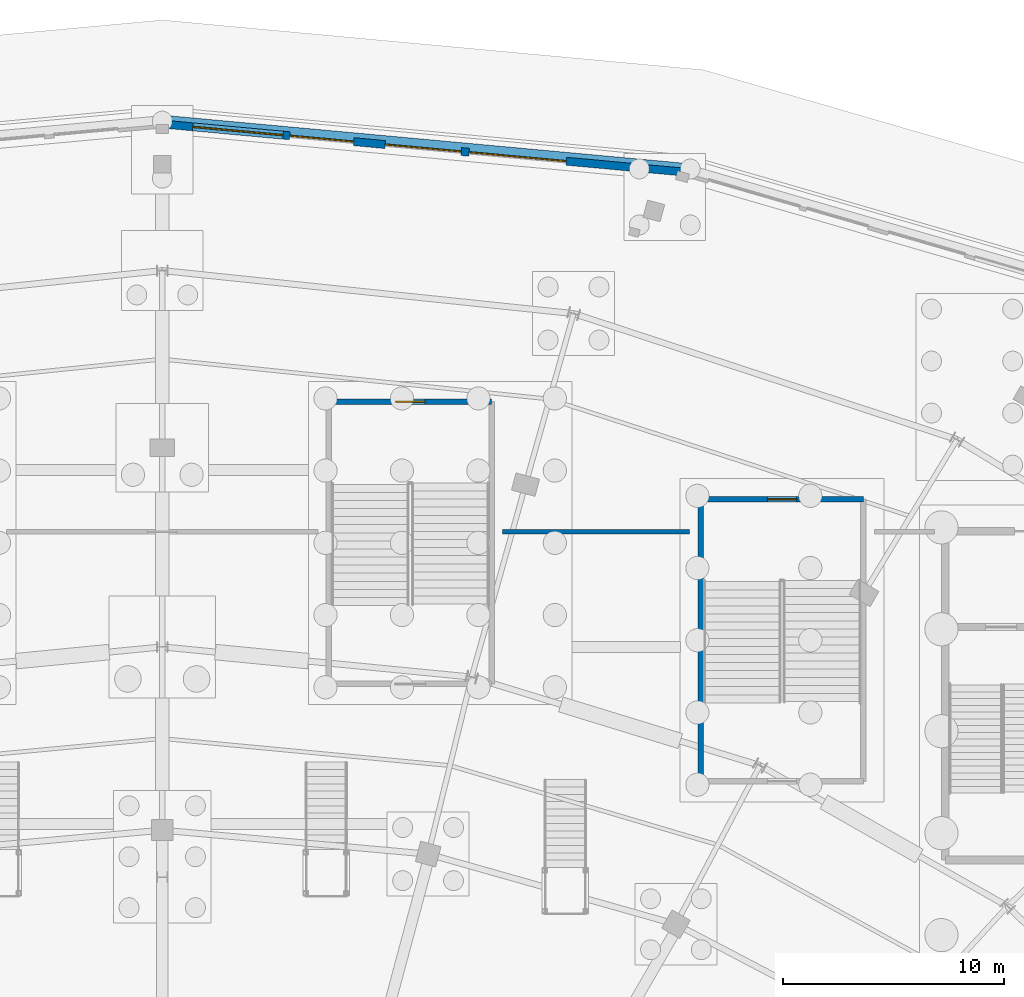
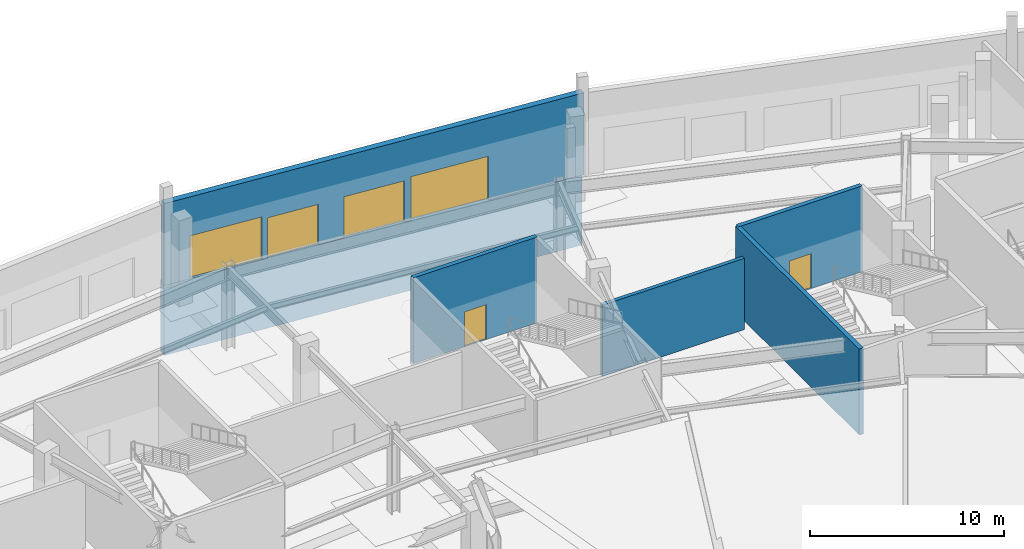
# One storey, part 59 of 93: 6 doors, 6 walls, 6 openings.
"""IFC4 building model written with IfcOpenShell, lengths in metres."""

from ifc_helpers import new_model, si_unit, direction, frame, frame_2d, origin, place, context, subcontext, project, spatial, rectangle, extrude, material, layer, layer_set, type_object, element, fill, save


model = new_model("IFC4")

# Units and contexts
model_context = context("Model", 3, precision=1e-05, world=origin(), true_north=direction((0.0, 1.0)))
body_context = subcontext(model_context, "Body", "Model", "MODEL_VIEW")
ifc_project = project(units=[si_unit("LENGTHUNIT", "METRE"), si_unit("AREAUNIT", "SQUARE_METRE"), si_unit("VOLUMEUNIT", "CUBIC_METRE"), si_unit("PLANEANGLEUNIT", "RADIAN"), si_unit("MASSUNIT", "GRAM", prefix="KILO")], contexts=[model_context])

# Site, building, storey
site_placement = place(None, origin())
site = spatial("IfcSite", under=ifc_project, at=site_placement, CompositionType="ELEMENT")
building_placement = place(site_placement, origin())
building = spatial("IfcBuilding", under=site, at=building_placement, Name="Kalgoora Escarpment Arena", CompositionType="ELEMENT")
storey_placement = place(building_placement, origin())
storey = spatial("IfcBuildingStorey", under=building, at=storey_placement, Name="L00", CompositionType="ELEMENT", Elevation=0.0)

# Wall, openings, doors
ifc_material_1 = material(Name="Cream limestone-faced precast concrete 40 MPa", Category="masonry")
ifc_layer_1 = layer(ifc_material_1, 0.360107421875)
ifc_layer_set_1 = layer_set([ifc_layer_1], Name="WAL-EXT-360")
wall_type_1 = type_object("IfcWallType", Name="WAL-EXT-360", PredefinedType="SOLIDWALL", material=ifc_layer_set_1)
wall_1_placement = place(storey_placement, frame((92.340576171875, 127.624755859375, 0.0), z_axis=(0.0, 0.0, 1.0), x_axis=(0.995785515714, -0.09171263105, 0.0)))
wall_1 = element("IfcWall", 1, at=wall_1_placement, inside=storey, type_object=wall_type_1, Name="L00 limestone-faced external wall 017", PredefinedType="SOLIDWALL", context=body_context, shape_type="SweptSolid", body=[
    extrude(rectangle(XDim=23.79052734375, YDim=0.360107421875, at=frame_2d((11.895263671875, 0.0))), origin(), (0.0, 0.0, 1.0), 5.14990234375),
])
opening_1_placement = place(wall_1_placement, frame((10.169921875, 0.0, 0.0)))
opening_1 = element("IfcOpeningElement", 2, at=opening_1_placement, cuts=wall_1, Name="Opening E4", PredefinedType="OPENING", context=body_context, shape_type="SweptSolid", body=[
    extrude(rectangle(XDim=3.449951171875, YDim=2.60009765625, at=frame_2d((1.72509765625, 1.300048828125))), frame((0.0, 0.18994140625, 0.0), z_axis=(0.0, -1.0, 0.0), x_axis=(1.0, 0.0, 0.0)), (0.0, 0.0, 1.0), 0.380126953125),
])
opening_2_placement = place(wall_1_placement, frame((1.43994140625, 0.0, 0.0)))
opening_2 = element("IfcOpeningElement", 3, at=opening_2_placement, cuts=wall_1, Name="Opening G20", PredefinedType="OPENING", context=body_context, shape_type="SweptSolid", body=[
    extrude(rectangle(XDim=4.10009765625, YDim=2.699951171875, at=frame_2d((2.050048828125, 1.35009765625))), frame((0.0, 0.18994140625, 0.0), z_axis=(0.0, -1.0, 0.0), x_axis=(1.0, 0.0, 0.0)), (0.0, 0.0, 1.0), 0.380126953125),
])
opening_3_placement = place(wall_1_placement, frame((13.97998046875, 0.0, 0.0)))
opening_3 = element("IfcOpeningElement", 4, at=opening_3_placement, cuts=wall_1, Name="Opening G21", PredefinedType="OPENING", context=body_context, shape_type="SweptSolid", body=[
    extrude(rectangle(XDim=4.39990234375, YDim=2.75, at=frame_2d((2.199951171875, 1.375))), frame((0.0, 0.18994140625, 0.0), z_axis=(0.0, -1.0, 0.0), x_axis=(1.0, 0.0, 0.0)), (0.0, 0.0, 1.0), 0.380126953125),
])
opening_4_placement = place(wall_1_placement, frame((5.840087890625, 0.0, 0.0)))
opening_4 = element("IfcOpeningElement", 5, at=opening_4_placement, cuts=wall_1, Name="Opening G50", PredefinedType="OPENING", context=body_context, shape_type="SweptSolid", body=[
    extrude(rectangle(XDim=2.89990234375, YDim=2.550048828125, at=frame_2d((1.449951171875, 1.27490234375))), frame((0.0, 0.18994140625, 0.0), z_axis=(0.0, -1.0, 0.0), x_axis=(1.0, 0.0, 0.0)), (0.0, 0.0, 1.0), 0.380126953125),
])
ifc_material_2 = material(Name="Champagne anodised aluminium acoustic egress leaf", Category="aluminium")
door_type_1 = type_object("IfcDoorType", Name="DR-EGEXIT-2700", OperationType="NOTDEFINED", PredefinedType="DOOR", material=ifc_material_2)
door_1_placement = place(opening_2_placement, origin())
door_1 = element("IfcDoor", 6, at=door_1_placement, inside=storey, type_object=door_type_1, Name="Final pedestrian exit door G20", OperationType="DOUBLE_DOOR_SINGLE_SWING", OverallHeight=2.699951171875, OverallWidth=4.10009765625, PredefinedType="DOOR", context=body_context, shape_type="SweptSolid", body=[
    extrude(rectangle(XDim=4.10009765625, YDim=2.699951171875, at=frame_2d((2.050048828125, 1.35009765625))), frame((0.0, 0.02490234375, 0.0), z_axis=(0.0, -1.0, 0.0), x_axis=(1.0, 0.0, 0.0)), (0.0, 0.0, 1.0), 0.050048828125),
])
fill(opening_2, door_1)
ifc_material_3 = material(Name="Champagne anodised aluminium acoustic egress leaf", Category="aluminium")
door_type_2 = type_object("IfcDoorType", Name="DR-EGEXIT-2850", OperationType="NOTDEFINED", PredefinedType="DOOR", material=ifc_material_3)
door_2_placement = place(opening_3_placement, origin())
door_2 = element("IfcDoor", 7, at=door_2_placement, inside=storey, type_object=door_type_2, Name="Final pedestrian exit door G21", OperationType="DOUBLE_DOOR_SINGLE_SWING", OverallHeight=2.75, OverallWidth=4.39990234375, PredefinedType="DOOR", context=body_context, shape_type="SweptSolid", body=[
    extrude(rectangle(XDim=4.39990234375, YDim=2.75, at=frame_2d((2.199951171875, 1.375))), frame((0.0, 0.02490234375, 0.0), z_axis=(0.0, -1.0, 0.0), x_axis=(1.0, 0.0, 0.0)), (0.0, 0.0, 1.0), 0.050048828125),
])
fill(opening_3, door_2)
ifc_material_4 = material(Name="Champagne anodised aluminium & toughened glass", Category="aluminium")
door_type_3 = type_object("IfcDoorType", Name="DR-MAIN-3450", OperationType="NOTDEFINED", PredefinedType="DOOR", material=ifc_material_4)
door_3_placement = place(opening_1_placement, origin())
door_3 = element("IfcDoor", 8, at=door_3_placement, inside=storey, type_object=door_type_3, Name="Main entrance E4", OperationType="DOUBLE_DOOR_SINGLE_SWING", OverallHeight=2.60009765625, OverallWidth=3.449951171875, PredefinedType="DOOR", context=body_context, shape_type="SweptSolid", body=[
    extrude(rectangle(XDim=3.449951171875, YDim=2.60009765625, at=frame_2d((1.72509765625, 1.300048828125))), frame((0.0, 0.02490234375, 0.0), z_axis=(0.0, -1.0, 0.0), x_axis=(1.0, 0.0, 0.0)), (0.0, 0.0, 1.0), 0.050048828125),
])
fill(opening_1, door_3)
ifc_material_5 = material(Name="Champagne anodised aluminium pedestrian egress gate leaf", Category="aluminium")
door_type_4 = type_object("IfcDoorType", Name="DR-PEDGATE-2900", OperationType="NOTDEFINED", PredefinedType="DOOR", material=ifc_material_5)
door_4_placement = place(opening_4_placement, origin())
door_4 = element("IfcDoor", 9, at=door_4_placement, inside=storey, type_object=door_type_4, Name="Final pedestrian exit door G50", OperationType="DOUBLE_DOOR_SINGLE_SWING", OverallHeight=2.550048828125, OverallWidth=2.89990234375, PredefinedType="DOOR", context=body_context, shape_type="SweptSolid", body=[
    extrude(rectangle(XDim=2.89990234375, YDim=2.550048828125, at=frame_2d((1.449951171875, 1.27490234375))), frame((0.0, 0.02490234375, 0.0), z_axis=(0.0, -1.0, 0.0), x_axis=(1.0, 0.0, 0.0)), (0.0, 0.0, 1.0), 0.050048828125),
])
fill(opening_4, door_4)

# Walls
ifc_material_6 = material(Name="Autoclaved aerated blockwork Concrete N40 (fc' 40 MPa)", Category="masonry")
ifc_layer_2 = layer(ifc_material_6, 0.219970703125)
ifc_layer_set_2 = layer_set([ifc_layer_2], Name="WAL-FIRE-220")
wall_type_2 = type_object("IfcWallType", Name="WAL-FIRE-220", PredefinedType="SOLIDWALL", material=ifc_layer_set_2)
wall_2_placement = place(storey_placement, frame((116.22509765625, 109.199951171875, 0.0), z_axis=(0.0, 0.0, 1.0), x_axis=(-1.0, 0.0, 0.0)))
element("IfcWall", 10, at=wall_2_placement, inside=storey, type_object=wall_type_2, Name="L00 North Protected Exit Passageway partition wall", PredefinedType="SOLIDWALL", context=body_context, shape_type="SweptSolid", body=[
    extrude(rectangle(XDim=8.4501953125, YDim=0.219970703125, at=frame_2d((4.22509765625, 0.0))), origin(), (0.0, 0.0, 1.0), 4.48291015625),
])
ifc_material_7 = material(Name="Concrete N40 (fc' 40 MPa)", Category="concrete")
ifc_layer_3 = layer(ifc_material_7, 0.43994140625)
ifc_layer_set_3 = layer_set([ifc_layer_3], Name="WAL-RET-440")
wall_type_3 = type_object("IfcWallType", Name="WAL-RET-440", PredefinedType="USERDEFINED", material=ifc_layer_set_3)
wall_3_placement = place(storey_placement, frame((92.39990234375, 127.800048828125, -4.5), z_axis=(0.0, 0.0, 1.0), x_axis=(0.995786148362, -0.091705761708, 0.0)))
element("IfcWall", 11, at=wall_3_placement, inside=storey, type_object=wall_type_3, Name="Escarpment stepped limestone plinth retaining wall 15", ObjectType="RETAININGWALL", PredefinedType="USERDEFINED", context=body_context, shape_type="SweptSolid", body=[
    extrude(rectangle(XDim=23.704345703125, YDim=0.43994140625, at=frame_2d((11.85205078125, 0.0))), origin(), (0.0, 0.0, 1.0), 4.5),
])

# Wall, opening, door
ifc_material_8 = material(Name="Concrete N50 (fc' 50 MPa)", Category="concrete")
ifc_layer_4 = layer(ifc_material_8, 0.25)
ifc_layer_set_4 = layer_set([ifc_layer_4], Name="WAL-STAIR-250")
wall_type_4 = type_object("IfcWallType", Name="WAL-STAIR-250", PredefinedType="SHEAR", material=ifc_layer_set_4)
wall_4_placement = place(storey_placement, frame((99.925048828125, 115.074951171875, 0.0), z_axis=(0.0, 0.0, 1.0), x_axis=(1.0, 0.0, 0.0)))
wall_4 = element("IfcWall", 12, at=wall_4_placement, inside=storey, type_object=wall_type_4, Name="Exit stair ST11 L00 north wall", PredefinedType="SHEAR", context=body_context, shape_type="SweptSolid", body=[
    extrude(rectangle(XDim=7.349853515625, YDim=0.25, at=frame_2d((3.6748046875, 0.0))), origin(), (0.0, 0.0, 1.0), 5.39990234375),
])
opening_5_placement = place(wall_4_placement, frame((3.014892578125, 0.0, 0.0)))
opening_5 = element("IfcOpeningElement", 13, at=opening_5_placement, cuts=wall_4, Name="Opening FD-ST11X", PredefinedType="OPENING", context=body_context, shape_type="SweptSolid", body=[
    extrude(rectangle(XDim=1.320068359375, YDim=2.199951171875, at=frame_2d((0.66015625, 1.10009765625))), frame((0.0, 0.135009765625, 0.0), z_axis=(0.0, -1.0, 0.0), x_axis=(1.0, 0.0, 0.0)), (0.0, 0.0, 1.0), 0.27001953125),
])
ifc_material_9 = material(Name="Fire-rated steel stair leaf with vision panel", Category="steel")
door_type_5 = type_object("IfcDoorType", Name="DR-STAIR-1320", OperationType="NOTDEFINED", PredefinedType="DOOR", material=ifc_material_9)
door_5_placement = place(opening_5_placement, origin())
door_5 = element("IfcDoor", 14, at=door_5_placement, inside=storey, type_object=door_type_5, Name="Fire-isolated stair ST11 L00 protected discharge door", OperationType="SINGLE_SWING_LEFT", OverallHeight=2.199951171875, OverallWidth=1.320068359375, PredefinedType="DOOR", context=body_context, shape_type="SweptSolid", body=[
    extrude(rectangle(XDim=1.320068359375, YDim=2.199951171875, at=frame_2d((0.66015625, 1.10009765625))), frame((0.0, 0.02490234375, 0.0), z_axis=(0.0, -1.0, 0.0), x_axis=(1.0, 0.0, 0.0)), (0.0, 0.0, 1.0), 0.050048828125),
])
fill(opening_5, door_5)

wall_5_placement = place(storey_placement, frame((116.72509765625, 110.675048828125, 0.0), z_axis=(0.0, 0.0, 1.0), x_axis=(1.0, 0.0, 0.0)))
wall_5 = element("IfcWall", 15, at=wall_5_placement, inside=storey, type_object=wall_type_4, Name="Exit stair ST12 L00 north wall", PredefinedType="SHEAR", context=body_context, shape_type="SweptSolid", body=[
    extrude(rectangle(XDim=7.349853515625, YDim=0.25, at=frame_2d((3.6748046875, 0.0))), origin(), (0.0, 0.0, 1.0), 5.39990234375),
])
opening_6_placement = place(wall_5_placement, frame((3.014892578125, 0.0, 0.0)))
opening_6 = element("IfcOpeningElement", 16, at=opening_6_placement, cuts=wall_5, Name="Opening FD-ST12X", PredefinedType="OPENING", context=body_context, shape_type="SweptSolid", body=[
    extrude(rectangle(XDim=1.320068359375, YDim=2.199951171875, at=frame_2d((0.66015625, 1.10009765625))), frame((0.0, 0.135009765625, 0.0), z_axis=(0.0, -1.0, 0.0), x_axis=(1.0, 0.0, 0.0)), (0.0, 0.0, 1.0), 0.27001953125),
])
door_6_placement = place(opening_6_placement, origin())
door_6 = element("IfcDoor", 17, at=door_6_placement, inside=storey, type_object=door_type_5, Name="Fire-isolated stair ST12 L00 protected discharge door", OperationType="SINGLE_SWING_RIGHT", OverallHeight=2.199951171875, OverallWidth=1.320068359375, PredefinedType="DOOR", context=body_context, shape_type="SweptSolid", body=[
    extrude(rectangle(XDim=1.320068359375, YDim=2.199951171875, at=frame_2d((0.66015625, 1.10009765625))), frame((0.0, 0.02490234375, 0.0), z_axis=(0.0, -1.0, 0.0), x_axis=(1.0, 0.0, 0.0)), (0.0, 0.0, 1.0), 0.050048828125),
])
fill(opening_6, door_6)

# Wall
wall_6_placement = place(storey_placement, frame((116.72509765625, 97.925048828125, 0.0), z_axis=(0.0, 0.0, 1.0), x_axis=(0.0, 1.0, 0.0)))
element("IfcWall", 18, at=wall_6_placement, inside=storey, type_object=wall_type_4, Name="Exit stair ST12 L00 west wall", PredefinedType="SHEAR", context=body_context, shape_type="SweptSolid", body=[
    extrude(rectangle(XDim=12.75, YDim=0.25, at=frame_2d((6.375, 0.0))), origin(), (0.0, 0.0, 1.0), 5.39990234375),
])

save(model, "model.ifc")
